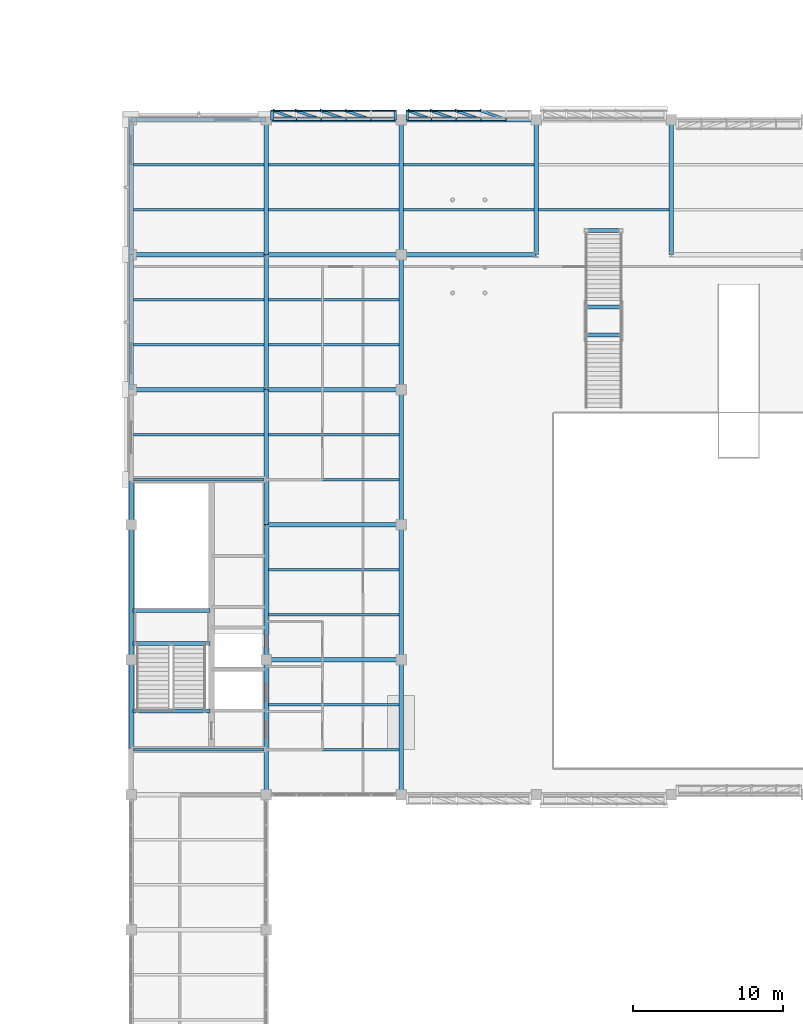
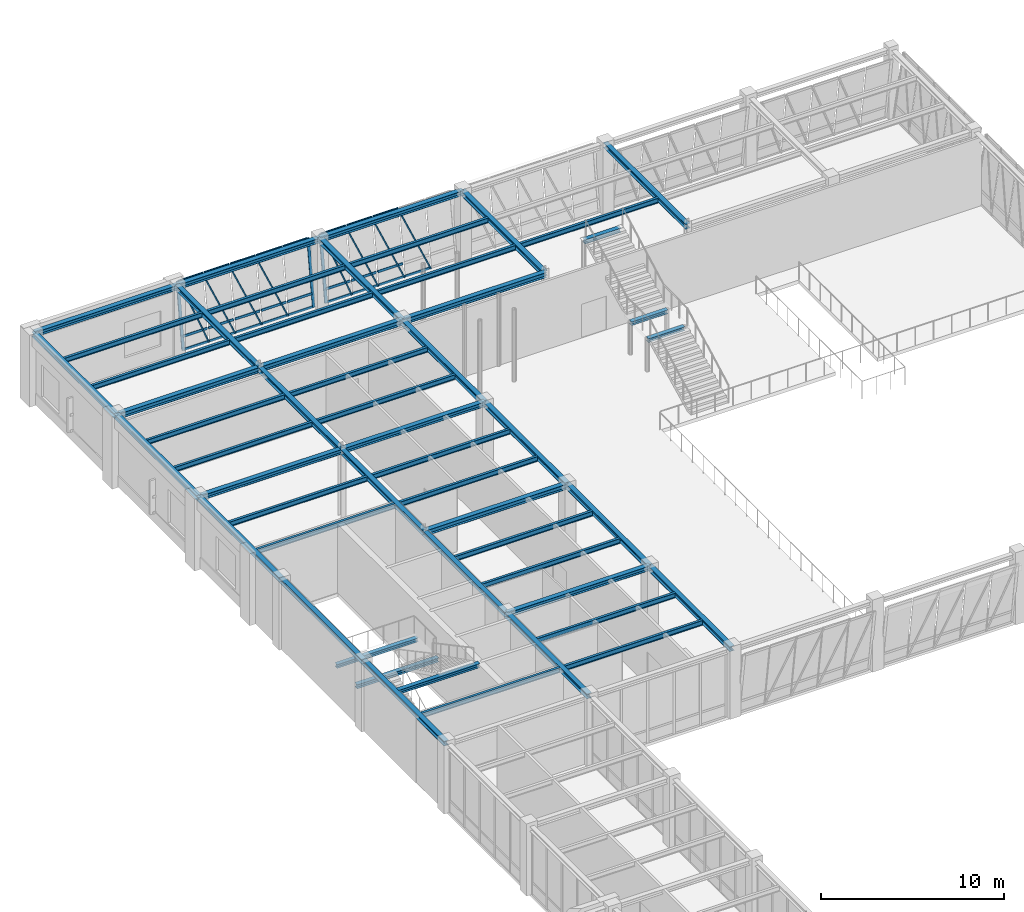
# One storey, part 39 of 98: 53 beams, 36 members, 2 elements without a shape of their own.
"""IFC4 building model written with IfcOpenShell, lengths in metres."""

from ifc_helpers import new_model, si_unit, direction, frame, origin, origin_2d, place, context, subcontext, project, spatial, hollow_rectangle, i_section, extrude, material, material_profile, profile_set, type_object, element, aggregate, save


model = new_model("IFC4")

# Units and contexts
model_context = context("Model", 3, precision=1e-05, world=origin(), true_north=direction((0.0, 1.0)))
body_context = subcontext(model_context, "Body", "Model", "MODEL_VIEW")
ifc_project = project(units=[si_unit("LENGTHUNIT", "METRE"), si_unit("AREAUNIT", "SQUARE_METRE"), si_unit("VOLUMEUNIT", "CUBIC_METRE"), si_unit("PLANEANGLEUNIT", "RADIAN"), si_unit("MASSUNIT", "GRAM", prefix="KILO")], contexts=[model_context])

# Site, building, storey
site_placement = place(None, origin())
site = spatial("IfcSite", under=ifc_project, at=site_placement, CompositionType="ELEMENT")
building_placement = place(site_placement, origin())
building = spatial("IfcBuilding", under=site, at=building_placement, Name="Lykobir Media Centre", CompositionType="ELEMENT")
storey_placement = place(building_placement, frame((0.0, 0.0, 10.199951171875)))
storey = spatial("IfcBuildingStorey", under=building, at=storey_placement, Name="L02", CompositionType="ELEMENT", Elevation=10.199951171875)

# Beams
ifc_material_1 = material(Name="Steel S355", Category="steel")
ifc_material_profile_1 = material_profile(ifc_material_1, i_section(OverallWidth=0.300048828125, OverallDepth=0.330078125, WebThickness=0.009521484375, FlangeThickness=0.0166015625, at=origin_2d()), Name="HEA 340")
ifc_profile_set_1 = profile_set([ifc_material_profile_1], Name="Steel S355")
beam_type_1 = type_object("IfcBeamType", Name="BM-HEA340", PredefinedType="BEAM", material=ifc_profile_set_1)
for number, where, z_axis, x_axis, name in (
    (1, (36.0, 63.0, 4.39501953125), (0.0, 1.0, 0.0), (-1.0, 0.0, 0.0), "Beam BM-L02-0360-0630-0360-0720-1460"),
    (2, (36.0, 72.0, 4.39501953125), (0.0, 1.0, 0.0), (-1.0, 0.0, 0.0), "Beam BM-L02-0360-0720-0360-0810-1460"),
    (3, (36.0, 81.0, 4.39501953125), (0.0, 1.0, 0.0), (-1.0, 0.0, 0.0), "Beam BM-L02-0360-0810-0360-0900-1460"),
    (4, (36.0, 90.0, 4.39501953125), (0.0, 1.0, 0.0), (-1.0, 0.0, 0.0), "Beam BM-L02-0360-0900-0360-0990-1460"),
    (5, (36.0, 99.0, 4.39501953125), (0.0, 1.0, 0.0), (-1.0, 0.0, 0.0), "Beam BM-L02-0360-0990-0360-1080-1460"),
    (6, (45.0, 63.0, 4.39501953125), (0.0, 1.0, 0.0), (-1.0, 0.0, 0.0), "Beam BM-L02-0450-0630-0450-0720-1460"),
    (7, (45.0, 72.0, 4.39501953125), (0.0, 1.0, 0.0), (-1.0, 0.0, 0.0), "Beam BM-L02-0450-0720-0450-0810-1460"),
    (8, (45.0, 81.0, 4.39501953125), (0.0, 1.0, 0.0), (-1.0, 0.0, 0.0), "Beam BM-L02-0450-0810-0450-0900-1460"),
    (9, (45.0, 90.0, 4.39501953125), (0.0, 1.0, 0.0), (-1.0, 0.0, 0.0), "Beam BM-L02-0450-0900-0450-0990-1460"),
    (10, (45.0, 99.0, 4.39501953125), (0.0, 1.0, 0.0), (-1.0, 0.0, 0.0), "Beam BM-L02-0450-0990-0450-1080-1460"),
    (11, (54.0, 99.0, 4.39501953125), (0.0, 1.0, 0.0), (-1.0, 0.0, 0.0), "Beam BM-L02-0540-0990-0540-1080-1460"),
    (12, (63.0, 99.0, 4.39501953125), (0.0, 1.0, 0.0), (-1.0, 0.0, 0.0), "Beam BM-L02-0630-0990-0630-1080-1460"),
):
    element("IfcBeam", number, at=place(storey_placement, frame(where, z_axis=z_axis, x_axis=x_axis)), inside=storey, type_object=beam_type_1, Name=name, PredefinedType="BEAM", context=body_context, shape_type="SweptSolid", body=[
        extrude(i_section(OverallWidth=0.300048828125, OverallDepth=0.330078125, WebThickness=0.009521484375, FlangeThickness=0.0166015625, at=origin_2d()), origin(), (0.0, 0.0, 1.0), 9.0),
    ])
ifc_material_profile_2 = material_profile(ifc_material_1, i_section(OverallWidth=0.300048828125, OverallDepth=0.35009765625, WebThickness=0.010009765625, FlangeThickness=0.017578125, at=origin_2d()), Name="HEA 360")
ifc_profile_set_2 = profile_set([ifc_material_profile_2], Name="Steel S355")
beam_type_2 = type_object("IfcBeamType", Name="BM-HEA360", PredefinedType="BEAM", material=ifc_profile_set_2)
for number, where, z_axis, x_axis, name in (
    (13, (36.0, 81.0, 4.385009765625), (1.0, 0.0, 0.0), (0.0, 1.0, 0.0), "Beam BM-L02-0360-0810-0450-0810-1458"),
    (14, (27.0, 99.0, 4.385009765625), (1.0, 0.0, 0.0), (0.0, 1.0, 0.0), "Beam BM-L02-0270-0990-0360-0990-1458"),
    (15, (36.0, 99.0, 4.385009765625), (1.0, 0.0, 0.0), (0.0, 1.0, 0.0), "Beam BM-L02-0360-0990-0450-0990-1458"),
    (16, (45.0, 99.0, 4.385009765625), (1.0, 0.0, 0.0), (0.0, 1.0, 0.0), "Beam BM-L02-0450-0990-0540-0990-1458"),
):
    element("IfcBeam", number, at=place(storey_placement, frame(where, z_axis=z_axis, x_axis=x_axis)), inside=storey, type_object=beam_type_2, Name=name, PredefinedType="BEAM", context=body_context, shape_type="SweptSolid", body=[
        extrude(i_section(OverallWidth=0.300048828125, OverallDepth=0.35009765625, WebThickness=0.010009765625, FlangeThickness=0.017578125, at=origin_2d()), origin(), (0.0, 0.0, 1.0), 9.0),
    ])
ifc_material_profile_3 = material_profile(ifc_material_1, i_section(OverallWidth=0.260009765625, OverallDepth=0.25, WebThickness=0.007568359375, FlangeThickness=0.012451171875, at=origin_2d()), Name="HEA 260")
ifc_profile_set_3 = profile_set([ifc_material_profile_3], Name="Steel S355")
beam_type_3 = type_object("IfcBeamType", Name="BM-ST260", PredefinedType="BEAM", material=ifc_profile_set_3)
beam_1_placement = place(storey_placement, frame((27.1298828125, 75.280029296875, 2.080078125), z_axis=(1.0, 0.0, 0.0), x_axis=(0.0, 1.0, 0.0)))
element("IfcBeam", 17, at=beam_1_placement, inside=storey, type_object=beam_type_3, Name="ST-3 L02 half-landing support beam", PredefinedType="BEAM", context=body_context, shape_type="SweptSolid", body=[
    extrude(i_section(OverallWidth=0.260009765625, OverallDepth=0.25, WebThickness=0.007568359375, FlangeThickness=0.012451171875, at=origin_2d()), origin(), (0.0, 0.0, 1.0), 5.14013671875),
])
for number, where, z_axis, x_axis, name in (
    (18, (57.35009765625, 93.64990234375, 2.070068359375), (1.0, 0.0, 0.0), (0.0, 1.0, 0.0), "Valley stair landing beam 3"),
    (19, (57.35009765625, 95.5, 2.070068359375), (1.0, 0.0, 0.0), (0.0, 1.0, 0.0), "Valley stair landing beam 3"),
):
    element("IfcBeam", number, at=place(storey_placement, frame(where, z_axis=z_axis, x_axis=x_axis)), inside=storey, type_object=beam_type_3, Name=name, PredefinedType="BEAM", context=body_context, shape_type="SweptSolid", body=[
        extrude(i_section(OverallWidth=0.260009765625, OverallDepth=0.25, WebThickness=0.007568359375, FlangeThickness=0.012451171875, at=origin_2d()), origin(), (0.0, 0.0, 1.0), 2.2998046875),
    ])
ifc_material_profile_4 = material_profile(ifc_material_1, i_section(OverallWidth=0.280029296875, OverallDepth=0.27001953125, WebThickness=0.008056640625, FlangeThickness=0.012939453125, at=origin_2d()), Name="HEA 280")
ifc_profile_set_4 = profile_set([ifc_material_profile_4], Name="Steel S355")
beam_type_4 = type_object("IfcBeamType", Name="BM-ST280", PredefinedType="BEAM", material=ifc_profile_set_4)
for number, where, z_axis, x_axis, name in (
    (20, (27.1298828125, 68.580078125, 4.425048828125), (1.0, 0.0, 0.0), (0.0, 1.0, 0.0), "ST-3 L02 arrival trimmer beam"),
    (21, (27.1298828125, 73.080078125, 2.070068359375), (1.0, 0.0, 0.0), (0.0, 1.0, 0.0), "ST-3 L02 mid-landing trimmer beam"),
):
    element("IfcBeam", number, at=place(storey_placement, frame(where, z_axis=z_axis, x_axis=x_axis)), inside=storey, type_object=beam_type_4, Name=name, PredefinedType="BEAM", context=body_context, shape_type="SweptSolid", body=[
        extrude(i_section(OverallWidth=0.280029296875, OverallDepth=0.27001953125, WebThickness=0.008056640625, FlangeThickness=0.012939453125, at=origin_2d()), origin(), (0.0, 0.0, 1.0), 5.14013671875),
    ])
beam_2_placement = place(storey_placement, frame((57.35009765625, 100.60009765625, 4.425048828125), z_axis=(1.0, 0.0, 0.0), x_axis=(0.0, 1.0, 0.0)))
element("IfcBeam", 22, at=beam_2_placement, inside=storey, type_object=beam_type_4, Name="Valley terrace edge trimmer 3", PredefinedType="BEAM", context=body_context, shape_type="SweptSolid", body=[
    extrude(i_section(OverallWidth=0.280029296875, OverallDepth=0.27001953125, WebThickness=0.008056640625, FlangeThickness=0.012939453125, at=origin_2d()), origin(), (0.0, 0.0, 1.0), 2.2998046875),
])

# Curtain wall, members
ifc_material_2 = material(Name="Anodized Aluminium AW-6060", Category="aluminium")
curtain_wall_type = type_object("IfcCurtainWallType", Name="CW-V6-CR2", PredefinedType="NOTDEFINED", material=ifc_material_2)
curtain_wall_1_placement = place(storey_placement, origin())
curtain_wall_1 = element("IfcCurtainWall", 23, at=curtain_wall_1_placement, inside=storey, type_object=curtain_wall_type, Name="Curtain wall CW2-L02-0092", PredefinedType="NOTDEFINED")
ifc_material_profile_5 = material_profile(ifc_material_2, hollow_rectangle(XDim=0.074951171875, YDim=0.179931640625, WallThickness=0.00390625, at=origin_2d()), Name="ALU MULLION 75x180")
ifc_profile_set_5 = profile_set([ifc_material_profile_5], Name="Anodized Aluminium AW-6060")
member_type_1 = type_object("IfcMemberType", Name="CWM-180", PredefinedType="MULLION", material=ifc_profile_set_5)
member_1_placement = place(storey_placement, frame((44.607421875, 108.0, 0.0), z_axis=(0.0, 0.142643417261, 0.989774143687), x_axis=(0.0, 0.989774143687, -0.142643417261)))
member_1 = element("IfcMember", 24, at=member_1_placement, type_object=member_type_1, Name="CW2-L02-0092 mullion 1", PredefinedType="MULLION", context=body_context, shape_type="SweptSolid", body=[
    extrude(hollow_rectangle(XDim=0.074951171875, YDim=0.179931640625, WallThickness=0.00390625, at=origin_2d()), origin(), (0.0, 0.0, 1.0), 4.27880859375),
])
member_2_placement = place(storey_placement, frame((42.987060546875, 108.0, 0.0), z_axis=(-0.374604193598, 0.132256811749, 0.917703565365), x_axis=(-0.86535400057, 0.305519700808, -0.397265863265)))
member_2 = element("IfcMember", 25, at=member_2_placement, type_object=member_type_1, Name="CW2-L02-0092 mullion 2", PredefinedType="MULLION", context=body_context, shape_type="SweptSolid", body=[
    extrude(hollow_rectangle(XDim=0.074951171875, YDim=0.179931640625, WallThickness=0.00390625, at=origin_2d()), origin(), (0.0, 0.0, 1.0), 4.614990234375),
])
member_3_placement = place(storey_placement, frame((41.3291015625, 108.0, 0.0), z_axis=(-0.374604193598, 0.132256811749, 0.917703565365), x_axis=(-0.86535400057, 0.305519700808, -0.397265863265)))
member_3 = element("IfcMember", 26, at=member_3_placement, type_object=member_type_1, Name="CW2-L02-0092 mullion 3", PredefinedType="MULLION", context=body_context, shape_type="SweptSolid", body=[
    extrude(hollow_rectangle(XDim=0.074951171875, YDim=0.179931640625, WallThickness=0.00390625, at=origin_2d()), origin(), (0.0, 0.0, 1.0), 4.614990234375),
])
member_4_placement = place(storey_placement, frame((39.6708984375, 108.0, 0.0), z_axis=(-0.374558713271, 0.132259432652, 0.917721751288), x_axis=(-0.865357601466, 0.305564124811, -0.397223850257)))
member_4 = element("IfcMember", 27, at=member_4_placement, type_object=member_type_1, Name="CW2-L02-0092 mullion 4", PredefinedType="MULLION", context=body_context, shape_type="SweptSolid", body=[
    extrude(hollow_rectangle(XDim=0.074951171875, YDim=0.179931640625, WallThickness=0.00390625, at=origin_2d()), origin(), (0.0, 0.0, 1.0), 4.61474609375),
])
member_5_placement = place(storey_placement, frame((38.012939453125, 108.0, 0.0), z_axis=(-0.339696067338, 0.134161164036, 0.930917485011), x_axis=(-0.865836279021, 0.34195745617, -0.365229566301)))
member_5 = element("IfcMember", 28, at=member_5_placement, type_object=member_type_1, Name="CW2-L02-0092 mullion 5", PredefinedType="MULLION", context=body_context, shape_type="SweptSolid", body=[
    extrude(hollow_rectangle(XDim=0.074951171875, YDim=0.179931640625, WallThickness=0.00390625, at=origin_2d()), origin(), (0.0, 0.0, 1.0), 4.54931640625),
])
member_6_placement = place(storey_placement, frame((36.392578125, 108.0, 0.0), z_axis=(0.0, 0.142643417261, 0.989774143687), x_axis=(0.0, 0.989774143687, -0.142643417261)))
member_6 = element("IfcMember", 29, at=member_6_placement, type_object=member_type_1, Name="CW2-L02-0092 mullion 6", PredefinedType="MULLION", context=body_context, shape_type="SweptSolid", body=[
    extrude(hollow_rectangle(XDim=0.074951171875, YDim=0.179931640625, WallThickness=0.00390625, at=origin_2d()), origin(), (0.0, 0.0, 1.0), 4.27880859375),
])

curtain_wall_2_placement = place(storey_placement, origin())
curtain_wall_2 = element("IfcCurtainWall", 30, at=curtain_wall_2_placement, inside=storey, type_object=curtain_wall_type, Name="Curtain wall CW2-L02-0093", PredefinedType="NOTDEFINED")
member_7_placement = place(storey_placement, frame((51.987060546875, 108.0, 0.0), z_axis=(-0.374604193598, 0.132256811749, 0.917703565365), x_axis=(-0.86535400057, 0.305519700808, -0.397265863265)))
member_7 = element("IfcMember", 31, at=member_7_placement, type_object=member_type_1, Name="CW2-L02-0093 mullion 2", PredefinedType="MULLION", context=body_context, shape_type="SweptSolid", body=[
    extrude(hollow_rectangle(XDim=0.074951171875, YDim=0.179931640625, WallThickness=0.00390625, at=origin_2d()), origin(), (0.0, 0.0, 1.0), 4.614990234375),
])
member_8_placement = place(storey_placement, frame((50.3291015625, 108.0, 0.0), z_axis=(-0.374604193598, 0.132256811749, 0.917703565365), x_axis=(-0.86535400057, 0.305519700808, -0.397265863265)))
member_8 = element("IfcMember", 32, at=member_8_placement, type_object=member_type_1, Name="CW2-L02-0093 mullion 3", PredefinedType="MULLION", context=body_context, shape_type="SweptSolid", body=[
    extrude(hollow_rectangle(XDim=0.074951171875, YDim=0.179931640625, WallThickness=0.00390625, at=origin_2d()), origin(), (0.0, 0.0, 1.0), 4.614990234375),
])
member_9_placement = place(storey_placement, frame((48.6708984375, 108.0, 0.0), z_axis=(-0.374558713271, 0.132259432652, 0.917721751288), x_axis=(-0.865357601466, 0.305564124811, -0.397223850257)))
member_9 = element("IfcMember", 33, at=member_9_placement, type_object=member_type_1, Name="CW2-L02-0093 mullion 4", PredefinedType="MULLION", context=body_context, shape_type="SweptSolid", body=[
    extrude(hollow_rectangle(XDim=0.074951171875, YDim=0.179931640625, WallThickness=0.00390625, at=origin_2d()), origin(), (0.0, 0.0, 1.0), 4.61474609375),
])
member_10_placement = place(storey_placement, frame((47.012939453125, 108.0, 0.0), z_axis=(-0.339696067338, 0.134161164036, 0.930917485011), x_axis=(-0.865836279021, 0.34195745617, -0.365229566301)))
member_10 = element("IfcMember", 34, at=member_10_placement, type_object=member_type_1, Name="CW2-L02-0093 mullion 5", PredefinedType="MULLION", context=body_context, shape_type="SweptSolid", body=[
    extrude(hollow_rectangle(XDim=0.074951171875, YDim=0.179931640625, WallThickness=0.00390625, at=origin_2d()), origin(), (0.0, 0.0, 1.0), 4.54931640625),
])
member_11_placement = place(storey_placement, frame((45.392578125, 108.0, 0.0), z_axis=(0.0, 0.142643417261, 0.989774143687), x_axis=(0.0, 0.989774143687, -0.142643417261)))
member_11 = element("IfcMember", 35, at=member_11_placement, type_object=member_type_1, Name="CW2-L02-0093 mullion 6", PredefinedType="MULLION", context=body_context, shape_type="SweptSolid", body=[
    extrude(hollow_rectangle(XDim=0.074951171875, YDim=0.179931640625, WallThickness=0.00390625, at=origin_2d()), origin(), (0.0, 0.0, 1.0), 4.27880859375),
])

# Member
ifc_material_profile_6 = material_profile(ifc_material_2, hollow_rectangle(XDim=0.074951171875, YDim=0.14990234375, WallThickness=0.00341796875, at=origin_2d()), Name="ALU TRANSOM 75x150")
ifc_profile_set_6 = profile_set([ifc_material_profile_6], Name="Anodized Aluminium AW-6060")
member_type_2 = type_object("IfcMemberType", Name="CWT-150", PredefinedType="USERDEFINED", material=ifc_profile_set_6)
member_12_placement = place(storey_placement, frame((44.570068359375, 108.00537109375, 0.037109375), z_axis=(-1.0, 0.0, 0.0), x_axis=(0.0, -0.989776230908, 0.142628933706)))
member_12 = element("IfcMember", 36, at=member_12_placement, type_object=member_type_2, Name="CW2-L02-0092 transom 1.1", ObjectType="TRANSOM", PredefinedType="USERDEFINED", context=body_context, shape_type="SweptSolid", body=[
    extrude(hollow_rectangle(XDim=0.074951171875, YDim=0.14990234375, WallThickness=0.00341796875, at=origin_2d()), origin(), (0.0, 0.0, 1.0), 1.545654296875),
])

member_13_placement = place(storey_placement, frame((44.570068359375, 108.12109375, 0.84130859375), z_axis=(-1.0, 0.0, 0.0), x_axis=(0.0, -0.989776230908, 0.142628933706)))
member_13 = element("IfcMember", 37, at=member_13_placement, type_object=member_type_2, Name="CW2-L02-0092 transom 1.2", ObjectType="TRANSOM", PredefinedType="USERDEFINED", context=body_context, shape_type="SweptSolid", body=[
    extrude(hollow_rectangle(XDim=0.074951171875, YDim=0.14990234375, WallThickness=0.00341796875, at=origin_2d()), origin(), (0.0, 0.0, 1.0), 1.545654296875),
])

member_14_placement = place(storey_placement, frame((44.570068359375, 108.60498046875, 4.19775390625), z_axis=(-1.0, 0.0, 0.0), x_axis=(0.0, -0.989776230908, 0.142628933706)))
member_14 = element("IfcMember", 38, at=member_14_placement, type_object=member_type_2, Name="CW2-L02-0092 transom 1.3", ObjectType="TRANSOM", PredefinedType="USERDEFINED", context=body_context, shape_type="SweptSolid", body=[
    extrude(hollow_rectangle(XDim=0.074951171875, YDim=0.14990234375, WallThickness=0.00341796875, at=origin_2d()), origin(), (0.0, 0.0, 1.0), 1.545654296875),
])

member_15_placement = place(storey_placement, frame((42.949462890625, 108.00537109375, 0.037109375), z_axis=(-1.0, 0.0, 0.0), x_axis=(0.0, -0.989776230908, 0.142628933706)))
member_15 = element("IfcMember", 39, at=member_15_placement, type_object=member_type_2, Name="CW2-L02-0092 transom 2.1", ObjectType="TRANSOM", PredefinedType="USERDEFINED", context=body_context, shape_type="SweptSolid", body=[
    extrude(hollow_rectangle(XDim=0.074951171875, YDim=0.14990234375, WallThickness=0.00341796875, at=origin_2d()), origin(), (0.0, 0.0, 1.0), 1.5830078125),
])

member_16_placement = place(storey_placement, frame((42.949462890625, 108.12109375, 0.84130859375), z_axis=(-1.0, 0.0, 0.0), x_axis=(0.0, -0.989776230908, 0.142628933706)))
member_16 = element("IfcMember", 40, at=member_16_placement, type_object=member_type_2, Name="CW2-L02-0092 transom 2.2", ObjectType="TRANSOM", PredefinedType="USERDEFINED", context=body_context, shape_type="SweptSolid", body=[
    extrude(hollow_rectangle(XDim=0.074951171875, YDim=0.14990234375, WallThickness=0.00341796875, at=origin_2d()), origin(), (0.0, 0.0, 1.0), 1.5830078125),
])

member_17_placement = place(storey_placement, frame((42.949462890625, 108.60498046875, 4.19775390625), z_axis=(-1.0, 0.0, 0.0), x_axis=(0.0, -0.989776230908, 0.142628933706)))
member_17 = element("IfcMember", 41, at=member_17_placement, type_object=member_type_2, Name="CW2-L02-0092 transom 2.3", ObjectType="TRANSOM", PredefinedType="USERDEFINED", context=body_context, shape_type="SweptSolid", body=[
    extrude(hollow_rectangle(XDim=0.074951171875, YDim=0.14990234375, WallThickness=0.00341796875, at=origin_2d()), origin(), (0.0, 0.0, 1.0), 1.5830078125),
])

member_18_placement = place(storey_placement, frame((41.29150390625, 108.00537109375, 0.037109375), z_axis=(-1.0, 0.0, 0.0), x_axis=(0.0, -0.989776230908, 0.142628933706)))
member_18 = element("IfcMember", 42, at=member_18_placement, type_object=member_type_2, Name="CW2-L02-0092 transom 3.1", ObjectType="TRANSOM", PredefinedType="USERDEFINED", context=body_context, shape_type="SweptSolid", body=[
    extrude(hollow_rectangle(XDim=0.074951171875, YDim=0.14990234375, WallThickness=0.00341796875, at=origin_2d()), origin(), (0.0, 0.0, 1.0), 1.5830078125),
])

member_19_placement = place(storey_placement, frame((41.29150390625, 108.12109375, 0.84130859375), z_axis=(-1.0, 0.0, 0.0), x_axis=(0.0, -0.989776230908, 0.142628933706)))
member_19 = element("IfcMember", 43, at=member_19_placement, type_object=member_type_2, Name="CW2-L02-0092 transom 3.2", ObjectType="TRANSOM", PredefinedType="USERDEFINED", context=body_context, shape_type="SweptSolid", body=[
    extrude(hollow_rectangle(XDim=0.074951171875, YDim=0.14990234375, WallThickness=0.00341796875, at=origin_2d()), origin(), (0.0, 0.0, 1.0), 1.5830078125),
])

member_20_placement = place(storey_placement, frame((41.29150390625, 108.60498046875, 4.19775390625), z_axis=(-1.0, 0.0, 0.0), x_axis=(0.0, -0.989776230908, 0.142628933706)))
member_20 = element("IfcMember", 44, at=member_20_placement, type_object=member_type_2, Name="CW2-L02-0092 transom 3.3", ObjectType="TRANSOM", PredefinedType="USERDEFINED", context=body_context, shape_type="SweptSolid", body=[
    extrude(hollow_rectangle(XDim=0.074951171875, YDim=0.14990234375, WallThickness=0.00341796875, at=origin_2d()), origin(), (0.0, 0.0, 1.0), 1.5830078125),
])

member_21_placement = place(storey_placement, frame((39.633544921875, 108.00537109375, 0.037109375), z_axis=(-1.0, 0.0, 0.0), x_axis=(0.0, -0.989776230908, 0.142628933706)))
member_21 = element("IfcMember", 45, at=member_21_placement, type_object=member_type_2, Name="CW2-L02-0092 transom 4.1", ObjectType="TRANSOM", PredefinedType="USERDEFINED", context=body_context, shape_type="SweptSolid", body=[
    extrude(hollow_rectangle(XDim=0.074951171875, YDim=0.14990234375, WallThickness=0.00341796875, at=origin_2d()), origin(), (0.0, 0.0, 1.0), 1.5830078125),
])

member_22_placement = place(storey_placement, frame((39.633544921875, 108.12109375, 0.84130859375), z_axis=(-1.0, 0.0, 0.0), x_axis=(0.0, -0.989776230908, 0.142628933706)))
member_22 = element("IfcMember", 46, at=member_22_placement, type_object=member_type_2, Name="CW2-L02-0092 transom 4.2", ObjectType="TRANSOM", PredefinedType="USERDEFINED", context=body_context, shape_type="SweptSolid", body=[
    extrude(hollow_rectangle(XDim=0.074951171875, YDim=0.14990234375, WallThickness=0.00341796875, at=origin_2d()), origin(), (0.0, 0.0, 1.0), 1.5830078125),
])

member_23_placement = place(storey_placement, frame((39.633544921875, 108.60498046875, 4.19775390625), z_axis=(-1.0, 0.0, 0.0), x_axis=(0.0, -0.989776230908, 0.142628933706)))
member_23 = element("IfcMember", 47, at=member_23_placement, type_object=member_type_2, Name="CW2-L02-0092 transom 4.3", ObjectType="TRANSOM", PredefinedType="USERDEFINED", context=body_context, shape_type="SweptSolid", body=[
    extrude(hollow_rectangle(XDim=0.074951171875, YDim=0.14990234375, WallThickness=0.00341796875, at=origin_2d()), origin(), (0.0, 0.0, 1.0), 1.5830078125),
])

member_24_placement = place(storey_placement, frame((37.9755859375, 108.00537109375, 0.037109375), z_axis=(-1.0, 0.0, 0.0), x_axis=(0.0, -0.989776230908, 0.142628933706)))
member_24 = element("IfcMember", 48, at=member_24_placement, type_object=member_type_2, Name="CW2-L02-0092 transom 5.1", ObjectType="TRANSOM", PredefinedType="USERDEFINED", context=body_context, shape_type="SweptSolid", body=[
    extrude(hollow_rectangle(XDim=0.074951171875, YDim=0.14990234375, WallThickness=0.00341796875, at=origin_2d()), origin(), (0.0, 0.0, 1.0), 1.545654296875),
])

member_25_placement = place(storey_placement, frame((37.9755859375, 108.12109375, 0.84130859375), z_axis=(-1.0, 0.0, 0.0), x_axis=(0.0, -0.989776230908, 0.142628933706)))
member_25 = element("IfcMember", 49, at=member_25_placement, type_object=member_type_2, Name="CW2-L02-0092 transom 5.2", ObjectType="TRANSOM", PredefinedType="USERDEFINED", context=body_context, shape_type="SweptSolid", body=[
    extrude(hollow_rectangle(XDim=0.074951171875, YDim=0.14990234375, WallThickness=0.00341796875, at=origin_2d()), origin(), (0.0, 0.0, 1.0), 1.545654296875),
])

member_26_placement = place(storey_placement, frame((37.9755859375, 108.60498046875, 4.19775390625), z_axis=(-1.0, 0.0, 0.0), x_axis=(0.0, -0.989776230908, 0.142628933706)))
member_26 = element("IfcMember", 50, at=member_26_placement, type_object=member_type_2, Name="CW2-L02-0092 transom 5.3", ObjectType="TRANSOM", PredefinedType="USERDEFINED", context=body_context, shape_type="SweptSolid", body=[
    extrude(hollow_rectangle(XDim=0.074951171875, YDim=0.14990234375, WallThickness=0.00341796875, at=origin_2d()), origin(), (0.0, 0.0, 1.0), 1.545654296875),
])

aggregate(curtain_wall_1, [member_1, member_2, member_3, member_4, member_5, member_6, member_12, member_13, member_14, member_15, member_16, member_17, member_18, member_19, member_20, member_21, member_22, member_23, member_24, member_25, member_26])

member_27_placement = place(storey_placement, frame((51.949462890625, 108.00537109375, 0.037109375), z_axis=(-1.0, 0.0, 0.0), x_axis=(0.0, -0.989776230908, 0.142628933706)))
member_27 = element("IfcMember", 51, at=member_27_placement, type_object=member_type_2, Name="CW2-L02-0093 transom 2.1", ObjectType="TRANSOM", PredefinedType="USERDEFINED", context=body_context, shape_type="SweptSolid", body=[
    extrude(hollow_rectangle(XDim=0.074951171875, YDim=0.14990234375, WallThickness=0.00341796875, at=origin_2d()), origin(), (0.0, 0.0, 1.0), 1.5830078125),
])

member_28_placement = place(storey_placement, frame((50.29150390625, 108.00537109375, 0.037109375), z_axis=(-1.0, 0.0, 0.0), x_axis=(0.0, -0.989776230908, 0.142628933706)))
member_28 = element("IfcMember", 52, at=member_28_placement, type_object=member_type_2, Name="CW2-L02-0093 transom 3.1", ObjectType="TRANSOM", PredefinedType="USERDEFINED", context=body_context, shape_type="SweptSolid", body=[
    extrude(hollow_rectangle(XDim=0.074951171875, YDim=0.14990234375, WallThickness=0.00341796875, at=origin_2d()), origin(), (0.0, 0.0, 1.0), 1.5830078125),
])

member_29_placement = place(storey_placement, frame((50.29150390625, 108.12109375, 0.84130859375), z_axis=(-1.0, 0.0, 0.0), x_axis=(0.0, -0.989776230908, 0.142628933706)))
member_29 = element("IfcMember", 53, at=member_29_placement, type_object=member_type_2, Name="CW2-L02-0093 transom 3.2", ObjectType="TRANSOM", PredefinedType="USERDEFINED", context=body_context, shape_type="SweptSolid", body=[
    extrude(hollow_rectangle(XDim=0.074951171875, YDim=0.14990234375, WallThickness=0.00341796875, at=origin_2d()), origin(), (0.0, 0.0, 1.0), 1.5830078125),
])

member_30_placement = place(storey_placement, frame((50.29150390625, 108.60498046875, 4.19775390625), z_axis=(-1.0, 0.0, 0.0), x_axis=(0.0, -0.989776230908, 0.142628933706)))
member_30 = element("IfcMember", 54, at=member_30_placement, type_object=member_type_2, Name="CW2-L02-0093 transom 3.3", ObjectType="TRANSOM", PredefinedType="USERDEFINED", context=body_context, shape_type="SweptSolid", body=[
    extrude(hollow_rectangle(XDim=0.074951171875, YDim=0.14990234375, WallThickness=0.00341796875, at=origin_2d()), origin(), (0.0, 0.0, 1.0), 1.5830078125),
])

member_31_placement = place(storey_placement, frame((48.633544921875, 108.00537109375, 0.037109375), z_axis=(-1.0, 0.0, 0.0), x_axis=(0.0, -0.989776230908, 0.142628933706)))
member_31 = element("IfcMember", 55, at=member_31_placement, type_object=member_type_2, Name="CW2-L02-0093 transom 4.1", ObjectType="TRANSOM", PredefinedType="USERDEFINED", context=body_context, shape_type="SweptSolid", body=[
    extrude(hollow_rectangle(XDim=0.074951171875, YDim=0.14990234375, WallThickness=0.00341796875, at=origin_2d()), origin(), (0.0, 0.0, 1.0), 1.5830078125),
])

member_32_placement = place(storey_placement, frame((48.633544921875, 108.12109375, 0.84130859375), z_axis=(-1.0, 0.0, 0.0), x_axis=(0.0, -0.989776230908, 0.142628933706)))
member_32 = element("IfcMember", 56, at=member_32_placement, type_object=member_type_2, Name="CW2-L02-0093 transom 4.2", ObjectType="TRANSOM", PredefinedType="USERDEFINED", context=body_context, shape_type="SweptSolid", body=[
    extrude(hollow_rectangle(XDim=0.074951171875, YDim=0.14990234375, WallThickness=0.00341796875, at=origin_2d()), origin(), (0.0, 0.0, 1.0), 1.5830078125),
])

member_33_placement = place(storey_placement, frame((48.633544921875, 108.60498046875, 4.19775390625), z_axis=(-1.0, 0.0, 0.0), x_axis=(0.0, -0.989776230908, 0.142628933706)))
member_33 = element("IfcMember", 57, at=member_33_placement, type_object=member_type_2, Name="CW2-L02-0093 transom 4.3", ObjectType="TRANSOM", PredefinedType="USERDEFINED", context=body_context, shape_type="SweptSolid", body=[
    extrude(hollow_rectangle(XDim=0.074951171875, YDim=0.14990234375, WallThickness=0.00341796875, at=origin_2d()), origin(), (0.0, 0.0, 1.0), 1.5830078125),
])

member_34_placement = place(storey_placement, frame((46.9755859375, 108.00537109375, 0.037109375), z_axis=(-1.0, 0.0, 0.0), x_axis=(0.0, -0.989776230908, 0.142628933706)))
member_34 = element("IfcMember", 58, at=member_34_placement, type_object=member_type_2, Name="CW2-L02-0093 transom 5.1", ObjectType="TRANSOM", PredefinedType="USERDEFINED", context=body_context, shape_type="SweptSolid", body=[
    extrude(hollow_rectangle(XDim=0.074951171875, YDim=0.14990234375, WallThickness=0.00341796875, at=origin_2d()), origin(), (0.0, 0.0, 1.0), 1.545654296875),
])

member_35_placement = place(storey_placement, frame((46.9755859375, 108.12109375, 0.84130859375), z_axis=(-1.0, 0.0, 0.0), x_axis=(0.0, -0.989776230908, 0.142628933706)))
member_35 = element("IfcMember", 59, at=member_35_placement, type_object=member_type_2, Name="CW2-L02-0093 transom 5.2", ObjectType="TRANSOM", PredefinedType="USERDEFINED", context=body_context, shape_type="SweptSolid", body=[
    extrude(hollow_rectangle(XDim=0.074951171875, YDim=0.14990234375, WallThickness=0.00341796875, at=origin_2d()), origin(), (0.0, 0.0, 1.0), 1.545654296875),
])

member_36_placement = place(storey_placement, frame((46.9755859375, 108.60498046875, 4.19775390625), z_axis=(-1.0, 0.0, 0.0), x_axis=(0.0, -0.989776230908, 0.142628933706)))
member_36 = element("IfcMember", 60, at=member_36_placement, type_object=member_type_2, Name="CW2-L02-0093 transom 5.3", ObjectType="TRANSOM", PredefinedType="USERDEFINED", context=body_context, shape_type="SweptSolid", body=[
    extrude(hollow_rectangle(XDim=0.074951171875, YDim=0.14990234375, WallThickness=0.00341796875, at=origin_2d()), origin(), (0.0, 0.0, 1.0), 1.545654296875),
])

aggregate(curtain_wall_2, [member_7, member_8, member_9, member_10, member_11, member_27, member_28, member_29, member_30, member_31, member_32, member_33, member_34, member_35, member_36])

# Beams
ifc_material_profile_7 = material_profile(ifc_material_1, i_section(OverallWidth=0.159912109375, OverallDepth=0.330078125, WebThickness=0.007568359375, FlangeThickness=0.011474609375, at=origin_2d()), Name="IPE 330")
ifc_profile_set_7 = profile_set([ifc_material_profile_7], Name="Steel S355")
beam_type_5 = type_object("IfcBeamType", Name="JS-IPE330", PredefinedType="JOIST", material=ifc_profile_set_7)
for number, where, z_axis, x_axis, name in (
    (61, (27.14990234375, 66.0, 4.39501953125), (1.0, 0.0, 0.0), (0.0, 1.0, 0.0), "Beam BM-L02-0272-0660-0358-0660-1460"),
    (62, (27.14990234375, 84.0, 4.39501953125), (1.0, 0.0, 0.0), (0.0, 1.0, 0.0), "Beam BM-L02-0272-0840-0358-0840-1460"),
    (63, (27.14990234375, 87.0, 4.39501953125), (1.0, 0.0, 0.0), (0.0, 1.0, 0.0), "Beam BM-L02-0272-0870-0358-0870-1460"),
    (64, (27.14990234375, 93.0, 4.39501953125), (1.0, 0.0, 0.0), (0.0, 1.0, 0.0), "Beam BM-L02-0272-0930-0358-0930-1460"),
    (65, (27.14990234375, 96.0, 4.39501953125), (1.0, 0.0, 0.0), (0.0, 1.0, 0.0), "Beam BM-L02-0272-0960-0358-0960-1460"),
    (66, (27.14990234375, 102.0, 4.39501953125), (1.0, 0.0, 0.0), (0.0, 1.0, 0.0), "Beam BM-L02-0272-1020-0358-1020-1460"),
    (67, (27.14990234375, 105.0, 4.39501953125), (1.0, 0.0, 0.0), (0.0, 1.0, 0.0), "Beam BM-L02-0272-1050-0358-1050-1460"),
    (68, (36.14990234375, 66.0, 4.39501953125), (1.0, 0.0, 0.0), (0.0, 1.0, 0.0), "Beam BM-L02-0362-0660-0448-0660-1460"),
    (69, (36.14990234375, 69.0, 4.39501953125), (1.0, 0.0, 0.0), (0.0, 1.0, 0.0), "Beam BM-L02-0362-0690-0448-0690-1460"),
    (70, (36.14990234375, 75.0, 4.39501953125), (1.0, 0.0, 0.0), (0.0, 1.0, 0.0), "Beam BM-L02-0362-0750-0448-0750-1460"),
    (71, (36.14990234375, 78.0, 4.39501953125), (1.0, 0.0, 0.0), (0.0, 1.0, 0.0), "Beam BM-L02-0362-0780-0448-0780-1460"),
    (72, (36.14990234375, 84.0, 4.39501953125), (1.0, 0.0, 0.0), (0.0, 1.0, 0.0), "Beam BM-L02-0362-0840-0448-0840-1460"),
    (73, (36.14990234375, 87.0, 4.39501953125), (1.0, 0.0, 0.0), (0.0, 1.0, 0.0), "Beam BM-L02-0362-0870-0448-0870-1460"),
    (74, (36.14990234375, 93.0, 4.39501953125), (1.0, 0.0, 0.0), (0.0, 1.0, 0.0), "Beam BM-L02-0362-0930-0448-0930-1460"),
    (75, (36.14990234375, 96.0, 4.39501953125), (1.0, 0.0, 0.0), (0.0, 1.0, 0.0), "Beam BM-L02-0362-0960-0448-0960-1460"),
    (76, (36.14990234375, 102.0, 4.39501953125), (1.0, 0.0, 0.0), (0.0, 1.0, 0.0), "Beam BM-L02-0362-1020-0448-1020-1460"),
    (77, (36.14990234375, 105.0, 4.39501953125), (1.0, 0.0, 0.0), (0.0, 1.0, 0.0), "Beam BM-L02-0362-1050-0448-1050-1460"),
    (78, (45.14990234375, 102.0, 4.39501953125), (1.0, 0.0, 0.0), (0.0, 1.0, 0.0), "Beam BM-L02-0452-1020-0538-1020-1460"),
    (79, (45.14990234375, 105.0, 4.39501953125), (1.0, 0.0, 0.0), (0.0, 1.0, 0.0), "Beam BM-L02-0452-1050-0538-1050-1460"),
    (80, (54.14990234375, 102.0, 4.39501953125), (1.0, 0.0, 0.0), (0.0, 1.0, 0.0), "Beam BM-L02-0542-1020-0628-1020-1460"),
):
    element("IfcBeam", number, at=place(storey_placement, frame(where, z_axis=z_axis, x_axis=x_axis)), inside=storey, type_object=beam_type_5, Name=name, PredefinedType="JOIST", context=body_context, shape_type="SweptSolid", body=[
        extrude(i_section(OverallWidth=0.159912109375, OverallDepth=0.330078125, WebThickness=0.007568359375, FlangeThickness=0.011474609375, at=origin_2d()), origin(), (0.0, 0.0, 1.0), 8.7001953125),
    ])
ifc_material_profile_8 = material_profile(ifc_material_1, i_section(OverallWidth=0.300048828125, OverallDepth=0.31005859375, WebThickness=0.009033203125, FlangeThickness=0.015380859375, at=origin_2d()), Name="HEA 320")
ifc_profile_set_8 = profile_set([ifc_material_profile_8], Name="Steel S355")
beam_type_6 = type_object("IfcBeamType", Name="SP-HEA320", PredefinedType="SPANDREL", material=ifc_profile_set_8)
for number, where, z_axis, x_axis, name in (
    (81, (36.0, 72.0, 4.405029296875), (1.0, 0.0, 0.0), (0.0, 1.0, 0.0), "Beam BM-L02-0360-0720-0450-0720-1460"),
    (82, (27.0, 90.0, 4.405029296875), (1.0, 0.0, 0.0), (0.0, 1.0, 0.0), "Beam BM-L02-0270-0900-0360-0900-1460"),
    (83, (36.0, 90.0, 4.405029296875), (1.0, 0.0, 0.0), (0.0, 1.0, 0.0), "Beam BM-L02-0360-0900-0450-0900-1460"),
    (84, (27.0, 108.0, 4.405029296875), (1.0, 0.0, 0.0), (0.0, 1.0, 0.0), "Beam BM-L02-0270-1080-0360-1080-1460"),
    (85, (36.0, 108.0, 4.405029296875), (1.0, 0.0, 0.0), (0.0, 1.0, 0.0), "Beam BM-L02-0360-1080-0450-1080-1460"),
    (86, (45.0, 108.0, 4.405029296875), (1.0, 0.0, 0.0), (0.0, 1.0, 0.0), "Beam BM-L02-0450-1080-0540-1080-1460"),
    (87, (27.0, 63.0, 4.405029296875), (0.0, 1.0, 0.0), (-1.0, 0.0, 0.0), "Beam BM-L02-0270-0630-0270-0720-1460"),
    (88, (27.0, 72.0, 4.405029296875), (0.0, 1.0, 0.0), (-1.0, 0.0, 0.0), "Beam BM-L02-0270-0720-0270-0810-1460"),
    (89, (27.0, 81.0, 4.405029296875), (0.0, 1.0, 0.0), (-1.0, 0.0, 0.0), "Beam BM-L02-0270-0810-0270-0900-1460"),
    (90, (27.0, 90.0, 4.405029296875), (0.0, 1.0, 0.0), (-1.0, 0.0, 0.0), "Beam BM-L02-0270-0900-0270-0990-1460"),
    (91, (27.0, 99.0, 4.405029296875), (0.0, 1.0, 0.0), (-1.0, 0.0, 0.0), "Beam BM-L02-0270-0990-0270-1080-1460"),
):
    element("IfcBeam", number, at=place(storey_placement, frame(where, z_axis=z_axis, x_axis=x_axis)), inside=storey, type_object=beam_type_6, Name=name, PredefinedType="SPANDREL", context=body_context, shape_type="SweptSolid", body=[
        extrude(i_section(OverallWidth=0.300048828125, OverallDepth=0.31005859375, WebThickness=0.009033203125, FlangeThickness=0.015380859375, at=origin_2d()), origin(), (0.0, 0.0, 1.0), 9.0),
    ])

save(model, "model.ifc")
